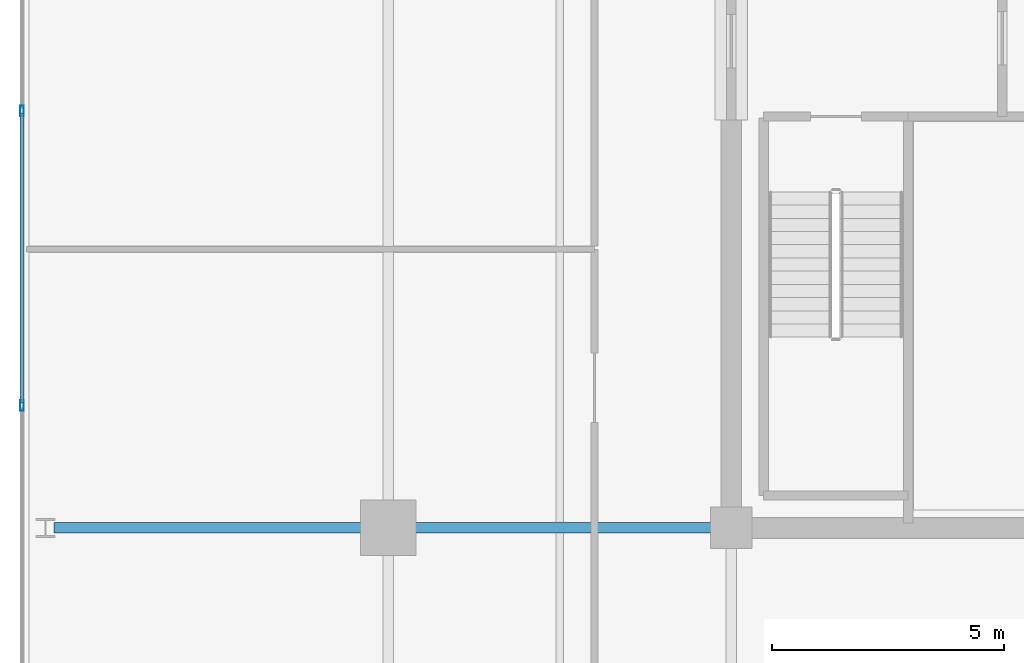
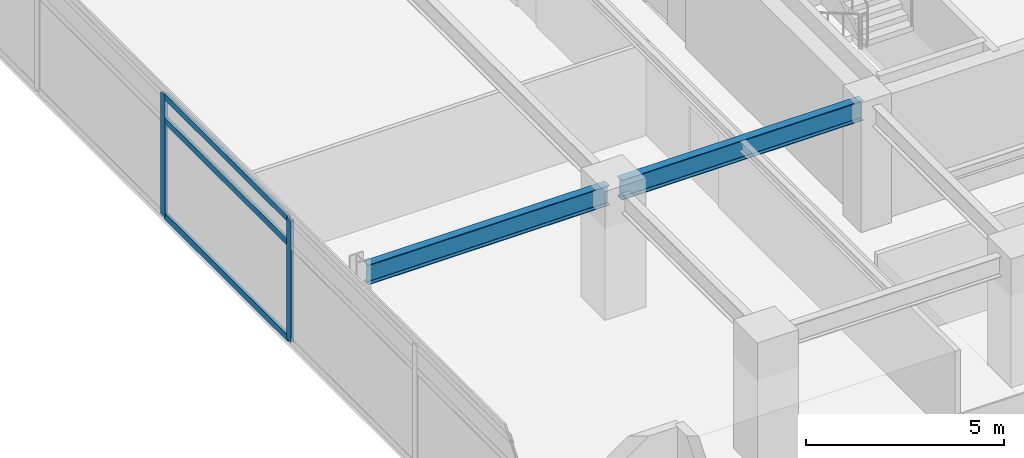
# One storey, part 4 of 21: 5 members, 2 beams, 1 element without a shape of its own.
"""IFC4 building model written with IfcOpenShell, lengths in metres."""

import ifcopenshell
import ifcopenshell.guid

model = None  # the IFC model being written
_history = None  # IfcOwnerHistory: only IFC2X3 demands one
_inside = {}  # id of a spatial element -> (the spatial element, [elements in it])
_under = {}  # id of a project, library or spatial element -> (it, [spatial elements below it])
_declared = {}  # id of a project -> (the project, [libraries it declares])
_typed = {}  # id of a type object -> (the type object, [elements of that type])
_made_of = {}  # id of a material, layer set ... -> (it, [elements and type objects made of it])


def new_model(schema):
    """Start an empty IFC model of exactly this schema.

    Asked for "IFC4X3", IfcOpenShell would pick the latest addendum, in which some entities
    have other attributes; the version numbers below select the first issue.
    IFC2X3 requires an IfcOwnerHistory on every rooted entity: one is made here for all.
    """
    global model, _history
    if schema == "IFC4X3":
        model = ifcopenshell.file(schema_version=(4, 3, 0, 0))
    else:
        model = ifcopenshell.file(schema=schema)
    _inside.clear()
    _under.clear()
    _declared.clear()
    _typed.clear()
    _made_of.clear()
    _history = None
    if model.schema == "IFC2X3":
        org = make("IfcOrganization", Name="unknown")
        user = make(
            "IfcPersonAndOrganization",
            ThePerson=make("IfcPerson", FamilyName="unknown"),
            TheOrganization=org,
        )
        app = make(
            "IfcApplication",
            ApplicationDeveloper=org,
            Version="unknown",
            ApplicationFullName="unknown",
            ApplicationIdentifier="unknown",
        )
        _history = make(
            "IfcOwnerHistory",
            OwningUser=user,
            OwningApplication=app,
            ChangeAction="ADDED",
            CreationDate=0,
        )
    return model


def make(cls, **values):
    """One entity of the class cls with the attributes given. An attribute that is None is left unset."""
    return model.create_entity(
        cls, **{name: value for name, value in values.items() if value is not None}
    )


def rooted(cls, **values):
    """An entity with a GlobalId (a new one), such as an element, a storey or a relation."""
    return make(cls, GlobalId=ifcopenshell.guid.new(), OwnerHistory=_history, **values)


def si_unit(unit_type, name, prefix=None):
    """IfcSIUnit, for example si_unit("LENGTHUNIT", "METRE", prefix="MILLI")."""
    return make("IfcSIUnit", UnitType=unit_type, Prefix=prefix, Name=name)


def assignment(units):
    """IfcUnitAssignment: the units of a project."""
    return None if units is None else make("IfcUnitAssignment", Units=units)


def point(xyz):
    """IfcCartesianPoint."""
    return None if xyz is None else make("IfcCartesianPoint", Coordinates=xyz)


def direction(xyz):
    """IfcDirection."""
    return None if xyz is None else make("IfcDirection", DirectionRatios=xyz)


def frame(location, z_axis=None, x_axis=None):
    """IfcAxis2Placement3D, a coordinate frame: its origin and axes. An axis left out is left unset."""
    return make(
        "IfcAxis2Placement3D",
        Location=point(location),
        Axis=direction(z_axis),
        RefDirection=direction(x_axis),
    )


def frame_2d(location, x_axis=None):
    """IfcAxis2Placement2D, a coordinate frame in the plane: its origin and x axis."""
    return make(
        "IfcAxis2Placement2D", Location=point(location), RefDirection=direction(x_axis)
    )


def origin():
    """The frame at (0, 0, 0) with its axes left unset."""
    return frame((0.0, 0.0, 0.0))


def origin_2d():
    """The frame at (0, 0) in the plane with its x axis left unset."""
    return frame_2d((0.0, 0.0))


def place(relative_to, where):
    """IfcLocalPlacement: puts the frame where relative to a parent placement (None: the world)."""
    return make(
        "IfcLocalPlacement", PlacementRelTo=relative_to, RelativePlacement=where
    )


def context(
    kind, dimensions, precision=None, world=None, true_north=None, identifier=None
):
    """IfcGeometricRepresentationContext, for example the 3D "Model" context."""
    return make(
        "IfcGeometricRepresentationContext",
        ContextIdentifier=identifier,
        ContextType=kind,
        CoordinateSpaceDimension=dimensions,
        Precision=precision,
        WorldCoordinateSystem=world,
        TrueNorth=true_north,
    )


def subcontext(parent, identifier, kind, view, scale=None):
    """IfcGeometricRepresentationSubContext, for example "Body" below "Model"."""
    return make(
        "IfcGeometricRepresentationSubContext",
        ContextIdentifier=identifier,
        ContextType=kind,
        ParentContext=parent,
        TargetScale=scale,
        TargetView=view,
    )


def project(units=None, contexts=None):
    """IfcProject with its units and contexts."""
    return rooted(
        "IfcProject",
        Name="project",
        RepresentationContexts=contexts,
        UnitsInContext=assignment(units),
    )


def spatial(cls, under=None, at=None, **own):
    """A site, building, storey or space (cls), placed at a placement, below another one or the project."""
    s = rooted(cls, ObjectPlacement=at, **own)
    if under is not None:
        _under.setdefault(under.id(), (under, []))[1].append(s)
    return s


def profile(cls, at=None, kind="AREA", **sizes):
    """A parametric profile (cls). Its sizes go by their IFC names, for example OverallWidth=200.0."""
    return make(cls, ProfileType=kind, Position=at, **sizes)


def hollow_rectangle(**sizes):
    """IfcRectangleHollowProfileDef."""
    return profile("IfcRectangleHollowProfileDef", **sizes)


def i_section(**sizes):
    """IfcIShapeProfileDef."""
    return profile("IfcIShapeProfileDef", **sizes)


def extrude(swept, where, along, depth):
    """IfcExtrudedAreaSolid: the profile swept, set in the frame where, extruded along a direction by depth."""
    return make(
        "IfcExtrudedAreaSolid",
        SweptArea=swept,
        Position=where,
        ExtrudedDirection=direction(along),
        Depth=depth,
    )


def shape(context_of_items, identifier, shape_type, items):
    """IfcShapeRepresentation: the items that make up one representation, for example the "Body"."""
    return make(
        "IfcShapeRepresentation",
        ContextOfItems=context_of_items,
        RepresentationIdentifier=identifier,
        RepresentationType=shape_type,
        Items=items,
    )


def material(Name=None, Category=None):
    """IfcMaterial."""
    return make("IfcMaterial", Name=Name, Category=Category)


def material_profile(
    of_material, cross_section, Name=None, Category=None, Priority=None
):
    """IfcMaterialProfile: a cross section and its material."""
    return make(
        "IfcMaterialProfile",
        Name=Name,
        Material=of_material,
        Profile=cross_section,
        Priority=Priority,
        Category=Category,
    )


def profile_set(profiles, Name=None, composite=None):
    """IfcMaterialProfileSet."""
    return make(
        "IfcMaterialProfileSet",
        Name=Name,
        MaterialProfiles=profiles,
        CompositeProfile=composite,
    )


def made_of(thing, what):
    """Note that an element or type object is made of a material, layer set ...; save() writes the relation."""
    if what is not None:
        _made_of.setdefault(what.id(), (what, []))[1].append(thing)
    return thing


def type_object(cls, material=None, **own):
    """A type object (cls), such as IfcWallType, which elements share."""
    return made_of(rooted(cls, **own), material)


def element(
    cls,
    number,
    at=None,
    inside=None,
    cuts=None,
    type_object=None,
    material=None,
    context=None,
    identifier="Body",
    shape_type=None,
    held_by="IfcProductDefinitionShape",
    body=None,
    shapes=None,
    **own,
):
    """One element of the class cls, such as IfcWall. Its Tag is "e" and its number.

    at: its placement. inside: the storey or other place that contains it. cuts: it is an
    opening in that element (IfcRelVoidsElement). A single representation is given by context,
    identifier, shape_type and body (its items); several are given by shapes. held_by: the class
    of the entity that holds the representations. save() writes the other relations.
    """
    e = rooted(cls, Tag="e%d" % number, ObjectPlacement=at, **own)
    if body is not None:
        shapes = [shape(context, identifier, shape_type, body)]
    if shapes is not None:
        e.Representation = make(held_by, Representations=shapes)
    if inside is not None:
        _inside.setdefault(inside.id(), (inside, []))[1].append(e)
    if cuts is not None:
        rooted(
            "IfcRelVoidsElement", RelatingBuildingElement=cuts, RelatedOpeningElement=e
        )
    if type_object is not None:
        _typed.setdefault(type_object.id(), (type_object, []))[1].append(e)
    return made_of(e, material)


def aggregate(whole, parts):
    """IfcRelAggregates: a whole, such as a stair, and the parts it consists of."""
    return rooted("IfcRelAggregates", RelatingObject=whole, RelatedObjects=parts)


def save(model, path):
    """Write the relations noted so far, then the file.

    IfcRelAggregates (storeys below a building ...), IfcRelContainedInSpatialStructure (elements
    in a storey), IfcRelDefinesByType, IfcRelAssociatesMaterial and IfcRelDeclares: one each for
    every whole, place, type object, material and project.
    """
    for whole, parts in _under.values():
        aggregate(whole, parts)
    for where, things in _inside.values():
        rooted(
            "IfcRelContainedInSpatialStructure",
            RelatedElements=things,
            RelatingStructure=where,
        )
    for kind, things in _typed.values():
        rooted("IfcRelDefinesByType", RelatedObjects=things, RelatingType=kind)
    for what, things in _made_of.values():
        rooted("IfcRelAssociatesMaterial", RelatedObjects=things, RelatingMaterial=what)
    for by, libraries in _declared.values():
        rooted("IfcRelDeclares", RelatingContext=by, RelatedDefinitions=libraries)
    model.write(path)


model = new_model("IFC4")

# Units and contexts
model_context = context("Model", 3, precision=1e-05, world=origin(), true_north=direction((0.0, 1.0)))
body_context = subcontext(model_context, "Body", "Model", "MODEL_VIEW")
ifc_project = project(units=[si_unit("LENGTHUNIT", "METRE"), si_unit("AREAUNIT", "SQUARE_METRE"), si_unit("VOLUMEUNIT", "CUBIC_METRE"), si_unit("PLANEANGLEUNIT", "RADIAN"), si_unit("MASSUNIT", "GRAM", prefix="KILO")], contexts=[model_context])

# Site, building, storey
site_placement = place(None, origin())
site = spatial("IfcSite", under=ifc_project, at=site_placement, CompositionType="ELEMENT")
building_placement = place(site_placement, origin())
building = spatial("IfcBuilding", under=site, at=building_placement, Name="Kovane Verandah Tower", CompositionType="ELEMENT")
storey_placement = place(building_placement, frame((0.0, 0.0, 263.199951171875)))
storey = spatial("IfcBuildingStorey", under=building, at=storey_placement, Name="L61", CompositionType="ELEMENT", Elevation=263.199951171875)

# Beams
ifc_material_1 = material(Name="Steel S355", Category="steel")
ifc_material_profile_1 = material_profile(ifc_material_1, i_section(OverallWidth=0.230224609375, OverallDepth=0.6171875, WebThickness=0.01318359375, FlangeThickness=0.022216796875, FilletRadius=0.0126953125, at=origin_2d()), Name="UB610x229x140")
ifc_profile_set_1 = profile_set([ifc_material_profile_1], Name="Steel S355")
beam_type = type_object("IfcBeamType", Name="BM-UB610x140", PredefinedType="BEAM", material=ifc_profile_set_1)
for number, where, z_axis, x_axis, name in (
    (1, (28.820068359375, 18.5, 3.4765625), (-1.0, 0.0, 0.0), (0.0, -1.0, 0.0), "L61 Primary Tower Girder G-W1"),
    (2, (21.419921875, 18.5, 3.451416015625), (-1.0, 0.0, 0.0), (0.0, -1.0, 0.0), "L61 Primary Tower Girder G-VW1"),
):
    element("IfcBeam", number, at=place(storey_placement, frame(where, z_axis=z_axis, x_axis=x_axis)), inside=storey, type_object=beam_type, Name=name, PredefinedType="BEAM", context=body_context, shape_type="SweptSolid", body=[
        extrude(i_section(OverallWidth=0.230224609375, OverallDepth=0.6171875, WebThickness=0.01318359375, FlangeThickness=0.022216796875, FilletRadius=0.0126953125, at=origin_2d()), origin(), (0.0, 0.0, 1.0), 7.0400390625),
    ])

# Curtain wall, members
ifc_material_2 = material(Name="Champagne Anodised Aluminium Frame with Low-E Clear Laminated Glass", Category="aluminium")
curtain_wall_type = type_object("IfcCurtainWallType", Name="CW-SYS-05-HIGH", PredefinedType="NOTDEFINED", material=ifc_material_2)
curtain_wall_placement = place(storey_placement, origin())
curtain_wall = element("IfcCurtainWall", 3, at=curtain_wall_placement, inside=storey, type_object=curtain_wall_type, Name="L61 W Unitised Curtain Wall", PredefinedType="NOTDEFINED")
ifc_material_3 = material(Name="Champagne Anodised Aluminium 6063-T6", Category="aluminium")
ifc_material_profile_2 = material_profile(ifc_material_3, hollow_rectangle(XDim=0.0849609375, YDim=0.22998046875, WallThickness=0.00390625, at=origin_2d()), Name="AL85x230x4")
ifc_profile_set_2 = profile_set([ifc_material_profile_2], Name="Champagne Anodised Aluminium 6063-T6")
member_type_1 = type_object("IfcMemberType", Name="CW-MUL-85x230", PredefinedType="MULLION", material=ifc_profile_set_2)
member_1_placement = place(storey_placement, frame((13.6923828125, 27.5, 0.02001953125), z_axis=(0.0, 0.0, 1.0), x_axis=(-1.0, 0.0, 0.0)))
member_1 = element("IfcMember", 4, at=member_1_placement, type_object=member_type_1, Name="L61 W Unitised Curtain Wall Mullion 4", PredefinedType="MULLION", context=body_context, shape_type="SweptSolid", body=[
    extrude(hollow_rectangle(XDim=0.0849609375, YDim=0.22998046875, WallThickness=0.00390625, at=origin_2d()), origin(), (0.0, 0.0, 1.0), 3.7451171875),
])
member_2_placement = place(storey_placement, frame((13.6923828125, 21.139892578125, 0.02001953125), z_axis=(0.0, 0.0, 1.0), x_axis=(-1.0, 0.0, 0.0)))
member_2 = element("IfcMember", 5, at=member_2_placement, type_object=member_type_1, Name="L61 W Unitised Curtain Wall Mullion 5", PredefinedType="MULLION", context=body_context, shape_type="SweptSolid", body=[
    extrude(hollow_rectangle(XDim=0.0849609375, YDim=0.22998046875, WallThickness=0.00390625, at=origin_2d()), origin(), (0.0, 0.0, 1.0), 3.7451171875),
])
ifc_material_profile_3 = material_profile(ifc_material_3, hollow_rectangle(XDim=0.0849609375, YDim=0.18994140625, WallThickness=0.00390625, at=origin_2d()), Name="AL85x190x4")
ifc_profile_set_3 = profile_set([ifc_material_profile_3], Name="Champagne Anodised Aluminium 6063-T6")
member_type_2 = type_object("IfcMemberType", Name="CW-TRN-85x190", PredefinedType="USERDEFINED", material=ifc_profile_set_3)
member_3_placement = place(storey_placement, frame((13.6923828125, 27.449951171875, 0.050048828125), z_axis=(0.0, -1.0, 0.0), x_axis=(1.0, 0.0, 0.0)))
member_3 = element("IfcMember", 6, at=member_3_placement, type_object=member_type_2, Name="L61 W Unitised Curtain Wall Transom TB Bay 4", ObjectType="TRANSOM", PredefinedType="USERDEFINED", context=body_context, shape_type="SweptSolid", body=[
    extrude(hollow_rectangle(XDim=0.0849609375, YDim=0.18994140625, WallThickness=0.00390625, at=origin_2d()), origin(), (0.0, 0.0, 1.0), 6.260009765625),
])
member_4_placement = place(storey_placement, frame((13.6923828125, 27.449951171875, 3.005126953125), z_axis=(0.0, -1.0, 0.0), x_axis=(1.0, 0.0, 0.0)))
member_4 = element("IfcMember", 7, at=member_4_placement, type_object=member_type_2, Name="L61 W Unitised Curtain Wall Transom TM Bay 4", ObjectType="TRANSOM", PredefinedType="USERDEFINED", context=body_context, shape_type="SweptSolid", body=[
    extrude(hollow_rectangle(XDim=0.0849609375, YDim=0.18994140625, WallThickness=0.00390625, at=origin_2d()), origin(), (0.0, 0.0, 1.0), 6.260009765625),
])
member_5_placement = place(storey_placement, frame((13.6923828125, 27.449951171875, 3.735107421875), z_axis=(0.0, -1.0, 0.0), x_axis=(1.0, 0.0, 0.0)))
member_5 = element("IfcMember", 8, at=member_5_placement, type_object=member_type_2, Name="L61 W Unitised Curtain Wall Transom TT Bay 4", ObjectType="TRANSOM", PredefinedType="USERDEFINED", context=body_context, shape_type="SweptSolid", body=[
    extrude(hollow_rectangle(XDim=0.0849609375, YDim=0.18994140625, WallThickness=0.00390625, at=origin_2d()), origin(), (0.0, 0.0, 1.0), 6.260009765625),
])
aggregate(curtain_wall, [member_1, member_2, member_3, member_4, member_5])

save(model, "model.ifc")
